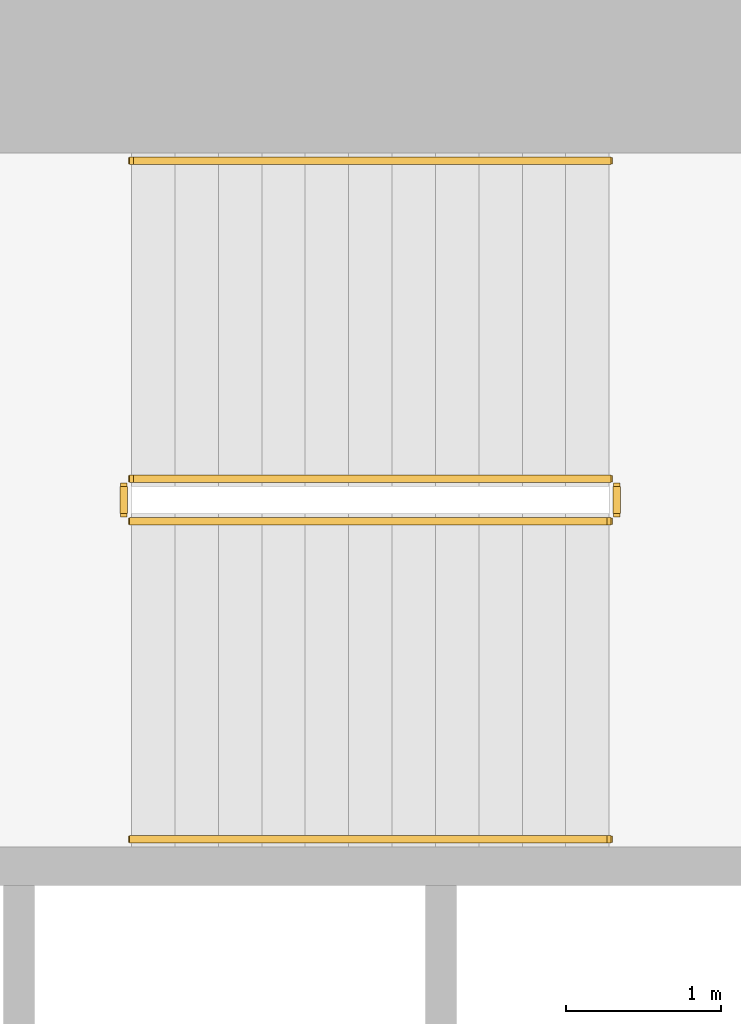
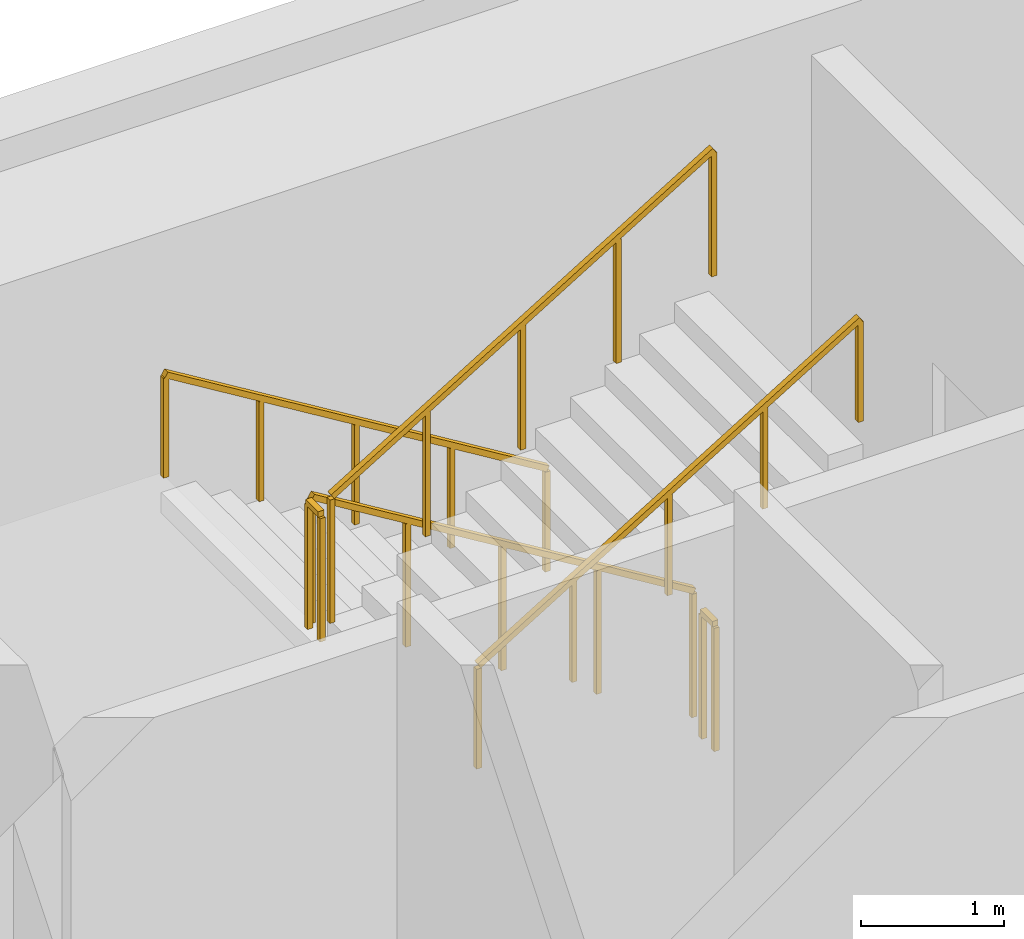
# One storey, part 12 of 14: 6 railings.
"""IFC4 building model written with IfcOpenShell, lengths in metres."""

from ifc_helpers import new_model, si_unit, direction, frame, origin, origin_2d, place, context, subcontext, project, spatial, rectangle, extrude, material, type_object, element, save


model = new_model("IFC4")

# Units and contexts
model_context = context("Model", 3, precision=1e-05, world=origin(), true_north=direction((0.0, 1.0)))
body_context = subcontext(model_context, "Body", "Model", "MODEL_VIEW")
ifc_project = project(units=[si_unit("LENGTHUNIT", "METRE"), si_unit("AREAUNIT", "SQUARE_METRE"), si_unit("VOLUMEUNIT", "CUBIC_METRE"), si_unit("PLANEANGLEUNIT", "RADIAN"), si_unit("MASSUNIT", "GRAM", prefix="KILO")], contexts=[model_context])

# Site, building, storey
site_placement = place(None, origin())
site = spatial("IfcSite", under=ifc_project, at=site_placement, CompositionType="ELEMENT")
building_placement = place(site_placement, origin())
building = spatial("IfcBuilding", under=site, at=building_placement, Name="Cypress Arch Tower", CompositionType="ELEMENT")
storey_placement = place(building_placement, frame((0.0, 0.0, 226.10009765625)))
storey = spatial("IfcBuildingStorey", under=building, at=storey_placement, Name="L50", CompositionType="ELEMENT", Elevation=226.10009765625)

# Railings
ifc_material_1 = material(Name="Black powder-coated steel square bar 48 mm", Category="steel")
railing_type_1 = type_object("IfcRailingType", Name="Stair handrail HR1", PredefinedType="HANDRAIL", material=ifc_material_1)
railing_1_placement = place(storey_placement, frame((-22.27490234375, 14.75, 0.170654296875)))
element("IfcRailing", 1, at=railing_1_placement, inside=storey, type_object=railing_type_1, Name="L50 B stair handrail 1", PredefinedType="HANDRAIL", context=body_context, shape_type="SweptSolid", body=[
    extrude(rectangle(XDim=0.048095703125, YDim=0.048095703125, at=origin_2d()), frame((0.0, 0.0, 0.8759765625), z_axis=(-0.853666305674, 0.0, 0.52082035152), x_axis=(0.0, -1.0, 0.0)), (0.0, 0.0, 1.0), 3.608154296875),
    extrude(rectangle(XDim=0.0419921875, YDim=0.0419921875, at=origin_2d()), origin(), (0.0, 0.0, 1.0), 0.851806640625),
    extrude(rectangle(XDim=0.0419921875, YDim=0.0419921875, at=origin_2d()), frame((-0.77001953125, 0.0, 0.4697265625)), (0.0, 0.0, 1.0), 0.851806640625),
    extrude(rectangle(XDim=0.0419921875, YDim=0.0419921875, at=origin_2d()), frame((-1.5400390625, 0.0, 0.939453125)), (0.0, 0.0, 1.0), 0.851806640625),
    extrude(rectangle(XDim=0.0419921875, YDim=0.0419921875, at=origin_2d()), frame((-2.31005859375, 0.0, 1.409423828125)), (0.0, 0.0, 1.0), 0.851806640625),
    extrude(rectangle(XDim=0.0419921875, YDim=0.0419921875, at=origin_2d()), frame((-3.080078125, 0.0, 1.879150390625)), (0.0, 0.0, 1.0), 0.851806640625),
])
railing_2_placement = place(storey_placement, frame((-25.35498046875, 10.375, 2.220703125)))
element("IfcRailing", 2, at=railing_2_placement, inside=storey, type_object=railing_type_1, Name="L50 B stair handrail 2", PredefinedType="HANDRAIL", context=body_context, shape_type="SweptSolid", body=[
    extrude(rectangle(XDim=0.048095703125, YDim=0.048095703125, at=origin_2d()), frame((0.0, 0.0, 0.8759765625), z_axis=(0.853666305674, 0.0, 0.52082035152), x_axis=(0.0, 1.0, 0.0)), (0.0, 0.0, 1.0), 3.608154296875),
    extrude(rectangle(XDim=0.0419921875, YDim=0.0419921875, at=origin_2d()), origin(), (0.0, 0.0, 1.0), 0.851806640625),
    extrude(rectangle(XDim=0.0419921875, YDim=0.0419921875, at=origin_2d()), frame((0.77001953125, 0.0, 0.4697265625)), (0.0, 0.0, 1.0), 0.851806640625),
    extrude(rectangle(XDim=0.0419921875, YDim=0.0419921875, at=origin_2d()), frame((1.5400390625, 0.0, 0.939453125)), (0.0, 0.0, 1.0), 0.851806640625),
    extrude(rectangle(XDim=0.0419921875, YDim=0.0419921875, at=origin_2d()), frame((2.31005859375, 0.0, 1.409423828125)), (0.0, 0.0, 1.0), 0.851806640625),
    extrude(rectangle(XDim=0.0419921875, YDim=0.0419921875, at=origin_2d()), frame((3.080078125, 0.0, 1.879150390625)), (0.0, 0.0, 1.0), 0.851806640625),
])
ifc_material_2 = material(Name="Black powder-coated steel balusters", Category="steel")
railing_type_2 = type_object("IfcRailingType", Name="Stair well guard G1", PredefinedType="GUARDRAIL", material=ifc_material_2)
railing_3_placement = place(storey_placement, frame((-22.27490234375, 12.699951171875, 0.170654296875)))
element("IfcRailing", 3, at=railing_3_placement, inside=storey, type_object=railing_type_2, Name="L50 B stair guard 1", PredefinedType="GUARDRAIL", context=body_context, shape_type="SweptSolid", body=[
    extrude(rectangle(XDim=0.048095703125, YDim=0.048095703125, at=origin_2d()), frame((0.0, 0.0, 1.076171875), z_axis=(-0.853666305674, 0.0, 0.52082035152), x_axis=(0.0, -1.0, 0.0)), (0.0, 0.0, 1.0), 3.608154296875),
    extrude(rectangle(XDim=0.0419921875, YDim=0.0419921875, at=origin_2d()), origin(), (0.0, 0.0, 1.0), 1.052001953125),
    extrude(rectangle(XDim=0.0419921875, YDim=0.0419921875, at=origin_2d()), frame((-0.77001953125, 0.0, 0.4697265625)), (0.0, 0.0, 1.0), 1.052001953125),
    extrude(rectangle(XDim=0.0419921875, YDim=0.0419921875, at=origin_2d()), frame((-1.5400390625, 0.0, 0.939453125)), (0.0, 0.0, 1.0), 1.052001953125),
    extrude(rectangle(XDim=0.0419921875, YDim=0.0419921875, at=origin_2d()), frame((-2.31005859375, 0.0, 1.409423828125)), (0.0, 0.0, 1.0), 1.052001953125),
    extrude(rectangle(XDim=0.0419921875, YDim=0.0419921875, at=origin_2d()), frame((-3.080078125, 0.0, 1.879150390625)), (0.0, 0.0, 1.0), 1.052001953125),
])
railing_4_placement = place(storey_placement, frame((-25.405029296875, 12.64990234375, 2.0498046875)))
element("IfcRailing", 4, at=railing_4_placement, inside=storey, type_object=railing_type_2, Name="L50 B stair guard 2", PredefinedType="GUARDRAIL", context=body_context, shape_type="SweptSolid", body=[
    extrude(rectangle(XDim=0.048095703125, YDim=0.048095703125, at=origin_2d()), frame((0.0, 0.0, 1.076171875), z_axis=(0.0, -1.0, 0.0), x_axis=(1.0, 0.0, 0.0)), (0.0, 0.0, 1.0), 0.1748046875),
    extrude(rectangle(XDim=0.0419921875, YDim=0.0419921875, at=origin_2d()), origin(), (0.0, 0.0, 1.0), 1.052001953125),
    extrude(rectangle(XDim=0.0419921875, YDim=0.0419921875, at=origin_2d()), frame((0.0, -0.1748046875, 0.0)), (0.0, 0.0, 1.0), 1.052001953125),
])
railing_5_placement = place(storey_placement, frame((-25.35498046875, 12.425048828125, 2.220703125)))
element("IfcRailing", 5, at=railing_5_placement, inside=storey, type_object=railing_type_2, Name="L50 B stair guard 3", PredefinedType="GUARDRAIL", context=body_context, shape_type="SweptSolid", body=[
    extrude(rectangle(XDim=0.048095703125, YDim=0.048095703125, at=origin_2d()), frame((0.0, 0.0, 1.076171875), z_axis=(0.853666305674, 0.0, 0.52082035152), x_axis=(0.0, 1.0, 0.0)), (0.0, 0.0, 1.0), 3.608154296875),
    extrude(rectangle(XDim=0.0419921875, YDim=0.0419921875, at=origin_2d()), origin(), (0.0, 0.0, 1.0), 1.052001953125),
    extrude(rectangle(XDim=0.0419921875, YDim=0.0419921875, at=origin_2d()), frame((0.77001953125, 0.0, 0.4697265625)), (0.0, 0.0, 1.0), 1.052001953125),
    extrude(rectangle(XDim=0.0419921875, YDim=0.0419921875, at=origin_2d()), frame((1.5400390625, 0.0, 0.939453125)), (0.0, 0.0, 1.0), 1.052001953125),
    extrude(rectangle(XDim=0.0419921875, YDim=0.0419921875, at=origin_2d()), frame((2.31005859375, 0.0, 1.409423828125)), (0.0, 0.0, 1.0), 1.052001953125),
    extrude(rectangle(XDim=0.0419921875, YDim=0.0419921875, at=origin_2d()), frame((3.080078125, 0.0, 1.879150390625)), (0.0, 0.0, 1.0), 1.052001953125),
])
railing_6_placement = place(storey_placement, frame((-22.22509765625, 12.64990234375, 0.0)))
element("IfcRailing", 6, at=railing_6_placement, inside=storey, type_object=railing_type_2, Name="L50 B stair guard 4", PredefinedType="GUARDRAIL", context=body_context, shape_type="SweptSolid", body=[
    extrude(rectangle(XDim=0.048095703125, YDim=0.048095703125, at=origin_2d()), frame((0.0, 0.0, 1.076171875), z_axis=(0.0, -1.0, 0.0), x_axis=(1.0, 0.0, 0.0)), (0.0, 0.0, 1.0), 0.1748046875),
    extrude(rectangle(XDim=0.0419921875, YDim=0.0419921875, at=origin_2d()), origin(), (0.0, 0.0, 1.0), 1.052001953125),
    extrude(rectangle(XDim=0.0419921875, YDim=0.0419921875, at=origin_2d()), frame((0.0, -0.1748046875, 0.0)), (0.0, 0.0, 1.0), 1.052001953125),
])

save(model, "model.ifc")
